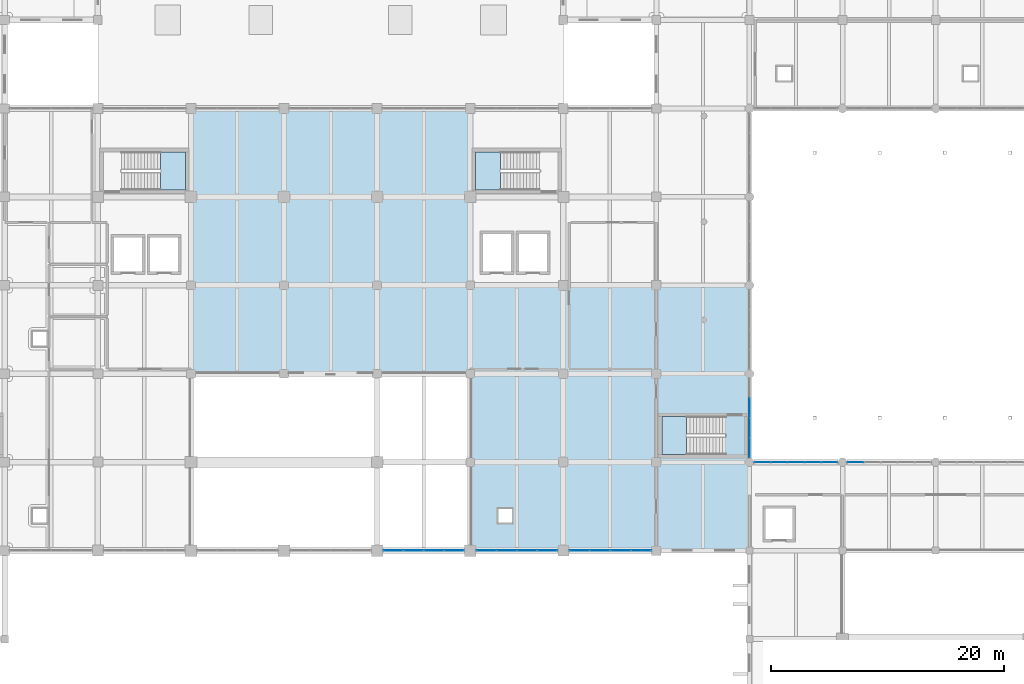
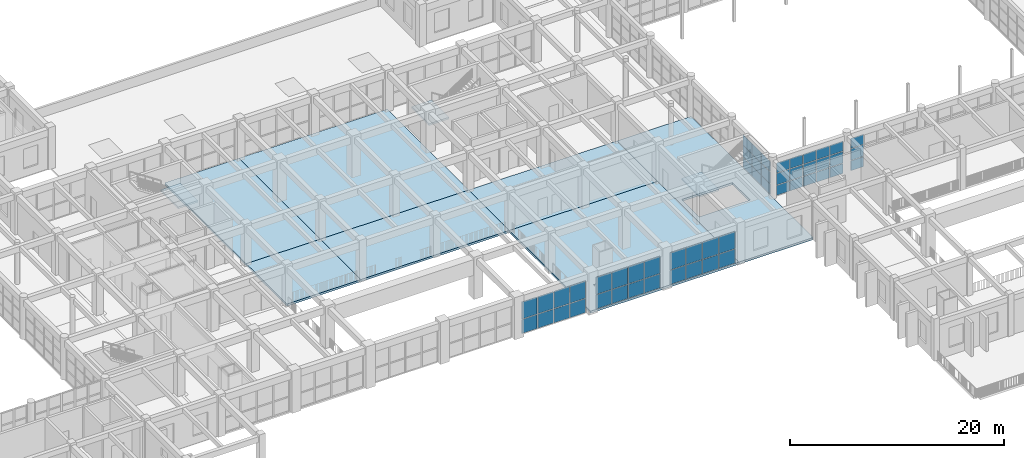
# One storey, part 64 of 101: 51 plates, 10 slabs, 9 elements without a shape of their own.
"""IFC4 building model written with IfcOpenShell, lengths in metres."""

from ifc_helpers import new_model, si_unit, direction, frame, origin, origin_2d, place, context, subcontext, project, spatial, polyline, rectangle, outline, extrude, material, layer, layer_set, type_object, element, aggregate, save


model = new_model("IFC4")

# Units and contexts
model_context = context("Model", 3, precision=1e-05, world=origin(), true_north=direction((0.0, 1.0)))
body_context = subcontext(model_context, "Body", "Model", "MODEL_VIEW")
ifc_project = project(units=[si_unit("LENGTHUNIT", "METRE"), si_unit("AREAUNIT", "SQUARE_METRE"), si_unit("VOLUMEUNIT", "CUBIC_METRE"), si_unit("PLANEANGLEUNIT", "RADIAN"), si_unit("MASSUNIT", "GRAM", prefix="KILO")], contexts=[model_context])

# Site, building, storey
site_placement = place(None, origin())
site = spatial("IfcSite", under=ifc_project, at=site_placement, CompositionType="ELEMENT")
building_placement = place(site_placement, origin())
building = spatial("IfcBuilding", under=site, at=building_placement, Name="Zantavel Square City Hall", CompositionType="ELEMENT")
storey_placement = place(building_placement, frame((0.0, 0.0, 5.39990234375)))
storey = spatial("IfcBuildingStorey", under=building, at=storey_placement, Name="L02", CompositionType="ELEMENT", Elevation=5.39990234375)

# Stair, slab
ifc_material_1 = material(Name="Concrete C35/45", Category="concrete")
stair_type = type_object("IfcStairType", Name="Enclosed Core Dogleg Stair L02 H4800", PredefinedType="HALF_TURN_STAIR", material=ifc_material_1)
stair_1_placement = place(storey_placement, origin())
stair_1 = element("IfcStair", 1, at=stair_1_placement, inside=storey, type_object=stair_type, Name="L02 Exit Stair 4 East Annex Core", PredefinedType="HALF_TURN_STAIR")
ifc_layer_1 = layer(ifc_material_1, 0.2099609375, Name="Concrete C35/45")
ifc_layer_set_1 = layer_set([ifc_layer_1], Name="Concrete C35/45")
slab_type_1 = type_object("IfcSlabType", Name="Core Stair Half-Landing Slab C35/45", PredefinedType="LANDING", material=ifc_layer_set_1)
slab_1_placement = place(storey_placement, frame((0.0, 0.0, 2.2001953125)))
slab_1 = element("IfcSlab", 2, at=slab_1_placement, type_object=slab_type_1, Name="ST4 landing 1", PredefinedType="LANDING", context=body_context, shape_type="SweptSolid", body=[
    extrude(outline(polyline([(114.610107421875, 41.919921875), (112.469970703125, 41.919921875), (112.469970703125, 38.64990234375), (114.610107421875, 38.64990234375), (114.610107421875, 41.919921875)])), origin(), (0.0, 0.0, 1.0), 0.199951171875),
])
aggregate(stair_1, [slab_1])

stair_2_placement = place(storey_placement, origin())
stair_2 = element("IfcStair", 3, at=stair_2_placement, inside=storey, type_object=stair_type, Name="L02 Exit Stair 5 Central West Core", PredefinedType="HALF_TURN_STAIR")
slab_2_placement = place(storey_placement, frame((0.0, 0.0, 2.2001953125)))
slab_2 = element("IfcSlab", 4, at=slab_2_placement, type_object=slab_type_1, Name="ST5 landing 1", PredefinedType="LANDING", context=body_context, shape_type="SweptSolid", body=[
    extrude(outline(polyline([(69.389892578125, 61.39990234375), (71.530029296875, 61.39990234375), (71.530029296875, 64.669921875), (69.389892578125, 64.669921875), (69.389892578125, 61.39990234375)])), origin(), (0.0, 0.0, 1.0), 0.199951171875),
])
aggregate(stair_2, [slab_2])

stair_3_placement = place(storey_placement, origin())
stair_3 = element("IfcStair", 5, at=stair_3_placement, inside=storey, type_object=stair_type, Name="L02 Exit Stair 6 Central East Core", PredefinedType="HALF_TURN_STAIR")
slab_3_placement = place(storey_placement, frame((0.0, 0.0, 2.2001953125)))
slab_3 = element("IfcSlab", 6, at=slab_3_placement, type_object=slab_type_1, Name="ST6 landing 1", PredefinedType="LANDING", context=body_context, shape_type="SweptSolid", body=[
    extrude(outline(polyline([(98.610107421875, 64.669921875), (96.469970703125, 64.669921875), (96.469970703125, 61.39990234375), (98.610107421875, 61.39990234375), (98.610107421875, 64.669921875)])), origin(), (0.0, 0.0, 1.0), 0.199951171875),
])
aggregate(stair_3, [slab_3])

# Curtain wall, plates
ifc_material_2 = material(Name="Anodised aluminium 6063-T6", Category="aluminium")
curtain_wall_type_1 = type_object("IfcCurtainWallType", Name="Curtain Wall CRT 7250x3800", PredefinedType="USERDEFINED", material=ifc_material_2)
curtain_wall_1_placement = place(storey_placement, origin())
curtain_wall_1 = element("IfcCurtainWall", 7, at=curtain_wall_1_placement, inside=storey, type_object=curtain_wall_type_1, Name="L02 Glazed Curtain Wall CW-L02-051", ObjectType="GLAZED CURTAIN WALL", PredefinedType="USERDEFINED")
ifc_material_3 = material(Name="Tempered safety glass low-E double glazing", Category="glass")
ifc_layer_2 = layer(ifc_material_3, 0.028076171875, Name="Tempered safety glass low-E double glazing")
ifc_layer_set_2 = layer_set([ifc_layer_2], Name="Tempered safety glass low-E double glazing")
plate_type_1 = type_object("IfcPlateType", Name="Low-E Curtain Glazing Panel 1450x1267x28", PredefinedType="CURTAIN_PANEL", material=ifc_layer_set_2)
plate_1_placement = place(storey_placement, frame((121.114990234375, 38.0, 0.06005859375), z_axis=(0.0, 0.0, 1.0), x_axis=(1.0, 0.0, 0.0)))
plate_1 = element("IfcPlate", 8, at=plate_1_placement, type_object=plate_type_1, Name="CW-051 panel 1.1", PredefinedType="CURTAIN_PANEL", context=body_context, shape_type="SweptSolid", body=[
    extrude(rectangle(XDim=1.360107421875, YDim=0.028076171875, at=origin_2d()), origin(), (0.0, 0.0, 1.0), 1.1259765625),
])
plate_2_placement = place(storey_placement, frame((121.114990234375, 38.0, 1.24609375), z_axis=(0.0, 0.0, 1.0), x_axis=(1.0, 0.0, 0.0)))
plate_2 = element("IfcPlate", 9, at=plate_2_placement, type_object=plate_type_1, Name="CW-051 panel 1.2", PredefinedType="CURTAIN_PANEL", context=body_context, shape_type="SweptSolid", body=[
    extrude(rectangle(XDim=1.360107421875, YDim=0.028076171875, at=origin_2d()), origin(), (0.0, 0.0, 1.0), 1.30810546875),
])
plate_3_placement = place(storey_placement, frame((121.114990234375, 38.0, 2.614013671875), z_axis=(0.0, 0.0, 1.0), x_axis=(1.0, 0.0, 0.0)))
plate_3 = element("IfcPlate", 10, at=plate_3_placement, type_object=plate_type_1, Name="CW-051 panel 1.3", PredefinedType="CURTAIN_PANEL", context=body_context, shape_type="SweptSolid", body=[
    extrude(rectangle(XDim=1.360107421875, YDim=0.028076171875, at=origin_2d()), origin(), (0.0, 0.0, 1.0), 1.1259765625),
])
plate_4_placement = place(storey_placement, frame((122.550048828125, 38.0, 0.06005859375), z_axis=(0.0, 0.0, 1.0), x_axis=(1.0, 0.0, 0.0)))
plate_4 = element("IfcPlate", 11, at=plate_4_placement, type_object=plate_type_1, Name="CW-051 panel 2.1", PredefinedType="CURTAIN_PANEL", context=body_context, shape_type="SweptSolid", body=[
    extrude(rectangle(XDim=1.389892578125, YDim=0.028076171875, at=origin_2d()), origin(), (0.0, 0.0, 1.0), 1.1259765625),
])
plate_5_placement = place(storey_placement, frame((122.550048828125, 38.0, 1.24609375), z_axis=(0.0, 0.0, 1.0), x_axis=(1.0, 0.0, 0.0)))
plate_5 = element("IfcPlate", 12, at=plate_5_placement, type_object=plate_type_1, Name="CW-051 panel 2.2", PredefinedType="CURTAIN_PANEL", context=body_context, shape_type="SweptSolid", body=[
    extrude(rectangle(XDim=1.389892578125, YDim=0.028076171875, at=origin_2d()), origin(), (0.0, 0.0, 1.0), 1.30810546875),
])
plate_6_placement = place(storey_placement, frame((122.550048828125, 38.0, 2.614013671875), z_axis=(0.0, 0.0, 1.0), x_axis=(1.0, 0.0, 0.0)))
plate_6 = element("IfcPlate", 13, at=plate_6_placement, type_object=plate_type_1, Name="CW-051 panel 2.3", PredefinedType="CURTAIN_PANEL", context=body_context, shape_type="SweptSolid", body=[
    extrude(rectangle(XDim=1.389892578125, YDim=0.028076171875, at=origin_2d()), origin(), (0.0, 0.0, 1.0), 1.1259765625),
])
plate_7_placement = place(storey_placement, frame((124.0, 38.0, 0.06005859375), z_axis=(0.0, 0.0, 1.0), x_axis=(1.0, 0.0, 0.0)))
plate_7 = element("IfcPlate", 14, at=plate_7_placement, type_object=plate_type_1, Name="CW-051 panel 3.1", PredefinedType="CURTAIN_PANEL", context=body_context, shape_type="SweptSolid", body=[
    extrude(rectangle(XDim=1.389892578125, YDim=0.028076171875, at=origin_2d()), origin(), (0.0, 0.0, 1.0), 1.1259765625),
])
plate_8_placement = place(storey_placement, frame((124.0, 38.0, 1.24609375), z_axis=(0.0, 0.0, 1.0), x_axis=(1.0, 0.0, 0.0)))
plate_8 = element("IfcPlate", 15, at=plate_8_placement, type_object=plate_type_1, Name="CW-051 panel 3.2", PredefinedType="CURTAIN_PANEL", context=body_context, shape_type="SweptSolid", body=[
    extrude(rectangle(XDim=1.389892578125, YDim=0.028076171875, at=origin_2d()), origin(), (0.0, 0.0, 1.0), 1.30810546875),
])
plate_9_placement = place(storey_placement, frame((124.0, 38.0, 2.614013671875), z_axis=(0.0, 0.0, 1.0), x_axis=(1.0, 0.0, 0.0)))
plate_9 = element("IfcPlate", 16, at=plate_9_placement, type_object=plate_type_1, Name="CW-051 panel 3.3", PredefinedType="CURTAIN_PANEL", context=body_context, shape_type="SweptSolid", body=[
    extrude(rectangle(XDim=1.389892578125, YDim=0.028076171875, at=origin_2d()), origin(), (0.0, 0.0, 1.0), 1.1259765625),
])
plate_10_placement = place(storey_placement, frame((125.449951171875, 38.0, 0.06005859375), z_axis=(0.0, 0.0, 1.0), x_axis=(1.0, 0.0, 0.0)))
plate_10 = element("IfcPlate", 17, at=plate_10_placement, type_object=plate_type_1, Name="CW-051 panel 4.1", PredefinedType="CURTAIN_PANEL", context=body_context, shape_type="SweptSolid", body=[
    extrude(rectangle(XDim=1.389892578125, YDim=0.028076171875, at=origin_2d()), origin(), (0.0, 0.0, 1.0), 1.1259765625),
])
plate_11_placement = place(storey_placement, frame((125.449951171875, 38.0, 1.24609375), z_axis=(0.0, 0.0, 1.0), x_axis=(1.0, 0.0, 0.0)))
plate_11 = element("IfcPlate", 18, at=plate_11_placement, type_object=plate_type_1, Name="CW-051 panel 4.2", PredefinedType="CURTAIN_PANEL", context=body_context, shape_type="SweptSolid", body=[
    extrude(rectangle(XDim=1.389892578125, YDim=0.028076171875, at=origin_2d()), origin(), (0.0, 0.0, 1.0), 1.30810546875),
])
plate_12_placement = place(storey_placement, frame((125.449951171875, 38.0, 2.614013671875), z_axis=(0.0, 0.0, 1.0), x_axis=(1.0, 0.0, 0.0)))
plate_12 = element("IfcPlate", 19, at=plate_12_placement, type_object=plate_type_1, Name="CW-051 panel 4.3", PredefinedType="CURTAIN_PANEL", context=body_context, shape_type="SweptSolid", body=[
    extrude(rectangle(XDim=1.389892578125, YDim=0.028076171875, at=origin_2d()), origin(), (0.0, 0.0, 1.0), 1.1259765625),
])
plate_13_placement = place(storey_placement, frame((126.885009765625, 38.0, 0.06005859375), z_axis=(0.0, 0.0, 1.0), x_axis=(1.0, 0.0, 0.0)))
plate_13 = element("IfcPlate", 20, at=plate_13_placement, type_object=plate_type_1, Name="CW-051 panel 5.1", PredefinedType="CURTAIN_PANEL", context=body_context, shape_type="SweptSolid", body=[
    extrude(rectangle(XDim=1.360107421875, YDim=0.028076171875, at=origin_2d()), origin(), (0.0, 0.0, 1.0), 1.1259765625),
])
plate_14_placement = place(storey_placement, frame((126.885009765625, 38.0, 1.24609375), z_axis=(0.0, 0.0, 1.0), x_axis=(1.0, 0.0, 0.0)))
plate_14 = element("IfcPlate", 21, at=plate_14_placement, type_object=plate_type_1, Name="CW-051 panel 5.2", PredefinedType="CURTAIN_PANEL", context=body_context, shape_type="SweptSolid", body=[
    extrude(rectangle(XDim=1.360107421875, YDim=0.028076171875, at=origin_2d()), origin(), (0.0, 0.0, 1.0), 1.30810546875),
])
plate_15_placement = place(storey_placement, frame((126.885009765625, 38.0, 2.614013671875), z_axis=(0.0, 0.0, 1.0), x_axis=(1.0, 0.0, 0.0)))
plate_15 = element("IfcPlate", 22, at=plate_15_placement, type_object=plate_type_1, Name="CW-051 panel 5.3", PredefinedType="CURTAIN_PANEL", context=body_context, shape_type="SweptSolid", body=[
    extrude(rectangle(XDim=1.360107421875, YDim=0.028076171875, at=origin_2d()), origin(), (0.0, 0.0, 1.0), 1.1259765625),
])
aggregate(curtain_wall_1, [plate_1, plate_2, plate_3, plate_4, plate_5, plate_6, plate_7, plate_8, plate_9, plate_10, plate_11, plate_12, plate_13, plate_14, plate_15])

curtain_wall_2_placement = place(storey_placement, origin())
curtain_wall_2 = element("IfcCurtainWall", 23, at=curtain_wall_2_placement, inside=storey, type_object=curtain_wall_type_1, Name="L02 Glazed Curtain Wall CW-L02-052", ObjectType="GLAZED CURTAIN WALL", PredefinedType="USERDEFINED")
plate_16_placement = place(storey_placement, frame((129.114990234375, 38.0, 0.06005859375), z_axis=(0.0, 0.0, 1.0), x_axis=(1.0, 0.0, 0.0)))
plate_16 = element("IfcPlate", 24, at=plate_16_placement, type_object=plate_type_1, Name="CW-052 panel 1.1", PredefinedType="CURTAIN_PANEL", context=body_context, shape_type="SweptSolid", body=[
    extrude(rectangle(XDim=1.360107421875, YDim=0.028076171875, at=origin_2d()), origin(), (0.0, 0.0, 1.0), 1.1259765625),
])
plate_17_placement = place(storey_placement, frame((129.114990234375, 38.0, 1.24609375), z_axis=(0.0, 0.0, 1.0), x_axis=(1.0, 0.0, 0.0)))
plate_17 = element("IfcPlate", 25, at=plate_17_placement, type_object=plate_type_1, Name="CW-052 panel 1.2", PredefinedType="CURTAIN_PANEL", context=body_context, shape_type="SweptSolid", body=[
    extrude(rectangle(XDim=1.360107421875, YDim=0.028076171875, at=origin_2d()), origin(), (0.0, 0.0, 1.0), 1.30810546875),
])
plate_18_placement = place(storey_placement, frame((129.114990234375, 38.0, 2.614013671875), z_axis=(0.0, 0.0, 1.0), x_axis=(1.0, 0.0, 0.0)))
plate_18 = element("IfcPlate", 26, at=plate_18_placement, type_object=plate_type_1, Name="CW-052 panel 1.3", PredefinedType="CURTAIN_PANEL", context=body_context, shape_type="SweptSolid", body=[
    extrude(rectangle(XDim=1.360107421875, YDim=0.028076171875, at=origin_2d()), origin(), (0.0, 0.0, 1.0), 1.1259765625),
])
aggregate(curtain_wall_2, [plate_16, plate_17, plate_18])

curtain_wall_type_2 = type_object("IfcCurtainWallType", Name="Curtain Wall CRT 6850x3870", PredefinedType="USERDEFINED", material=ifc_material_2)
curtain_wall_3_placement = place(storey_placement, origin())
curtain_wall_3 = element("IfcCurtainWall", 27, at=curtain_wall_3_placement, inside=storey, type_object=curtain_wall_type_2, Name="L02 Glazed Curtain Wall CW-L02-066", ObjectType="GLAZED CURTAIN WALL", PredefinedType="USERDEFINED")
ifc_layer_3 = layer(ifc_material_3, 0.028076171875, Name="Tempered safety glass low-E double glazing")
ifc_layer_set_3 = layer_set([ifc_layer_3], Name="Tempered safety glass low-E double glazing")
plate_type_2 = type_object("IfcPlateType", Name="Low-E Curtain Glazing Panel 1713x1290x28", PredefinedType="CURTAIN_PANEL", material=ifc_layer_set_3)
plate_19_placement = place(storey_placement, frame((120.0, 42.65625, 0.06005859375), z_axis=(0.0, 0.0, 1.0), x_axis=(0.0, -1.0, 0.0)))
plate_19 = element("IfcPlate", 28, at=plate_19_placement, type_object=plate_type_2, Name="CW-066 panel 2.1", PredefinedType="CURTAIN_PANEL", context=body_context, shape_type="SweptSolid", body=[
    extrude(rectangle(XDim=1.652587890625, YDim=0.028076171875, at=origin_2d()), origin(), (0.0, 0.0, 1.0), 1.14794921875),
])
plate_20_placement = place(storey_placement, frame((120.0, 42.65625, 1.26806640625), z_axis=(0.0, 0.0, 1.0), x_axis=(0.0, -1.0, 0.0)))
plate_20 = element("IfcPlate", 29, at=plate_20_placement, type_object=plate_type_2, Name="CW-066 panel 2.2", PredefinedType="CURTAIN_PANEL", context=body_context, shape_type="SweptSolid", body=[
    extrude(rectangle(XDim=1.652587890625, YDim=0.028076171875, at=origin_2d()), origin(), (0.0, 0.0, 1.0), 1.333984375),
])
plate_21_placement = place(storey_placement, frame((120.0, 42.65625, 2.662109375), z_axis=(0.0, 0.0, 1.0), x_axis=(0.0, -1.0, 0.0)))
plate_21 = element("IfcPlate", 30, at=plate_21_placement, type_object=plate_type_2, Name="CW-066 panel 2.3", PredefinedType="CURTAIN_PANEL", context=body_context, shape_type="SweptSolid", body=[
    extrude(rectangle(XDim=1.652587890625, YDim=0.028076171875, at=origin_2d()), origin(), (0.0, 0.0, 1.0), 1.14794921875),
])
plate_22_placement = place(storey_placement, frame((120.0, 40.94384765625, 0.06005859375), z_axis=(0.0, 0.0, 1.0), x_axis=(0.0, -1.0, 0.0)))
plate_22 = element("IfcPlate", 31, at=plate_22_placement, type_object=plate_type_2, Name="CW-066 panel 3.1", PredefinedType="CURTAIN_PANEL", context=body_context, shape_type="SweptSolid", body=[
    extrude(rectangle(XDim=1.652587890625, YDim=0.028076171875, at=origin_2d()), origin(), (0.0, 0.0, 1.0), 1.14794921875),
])
plate_23_placement = place(storey_placement, frame((120.0, 40.94384765625, 1.26806640625), z_axis=(0.0, 0.0, 1.0), x_axis=(0.0, -1.0, 0.0)))
plate_23 = element("IfcPlate", 32, at=plate_23_placement, type_object=plate_type_2, Name="CW-066 panel 3.2", PredefinedType="CURTAIN_PANEL", context=body_context, shape_type="SweptSolid", body=[
    extrude(rectangle(XDim=1.652587890625, YDim=0.028076171875, at=origin_2d()), origin(), (0.0, 0.0, 1.0), 1.333984375),
])
plate_24_placement = place(storey_placement, frame((120.0, 40.94384765625, 2.662109375), z_axis=(0.0, 0.0, 1.0), x_axis=(0.0, -1.0, 0.0)))
plate_24 = element("IfcPlate", 33, at=plate_24_placement, type_object=plate_type_2, Name="CW-066 panel 3.3", PredefinedType="CURTAIN_PANEL", context=body_context, shape_type="SweptSolid", body=[
    extrude(rectangle(XDim=1.652587890625, YDim=0.028076171875, at=origin_2d()), origin(), (0.0, 0.0, 1.0), 1.14794921875),
])
plate_25_placement = place(storey_placement, frame((120.0, 39.246337890625, 0.06005859375), z_axis=(0.0, 0.0, 1.0), x_axis=(0.0, -1.0, 0.0)))
plate_25 = element("IfcPlate", 34, at=plate_25_placement, type_object=plate_type_2, Name="CW-066 panel 4.1", PredefinedType="CURTAIN_PANEL", context=body_context, shape_type="SweptSolid", body=[
    extrude(rectangle(XDim=1.62255859375, YDim=0.028076171875, at=origin_2d()), origin(), (0.0, 0.0, 1.0), 1.14794921875),
])
plate_26_placement = place(storey_placement, frame((120.0, 39.246337890625, 1.26806640625), z_axis=(0.0, 0.0, 1.0), x_axis=(0.0, -1.0, 0.0)))
plate_26 = element("IfcPlate", 35, at=plate_26_placement, type_object=plate_type_2, Name="CW-066 panel 4.2", PredefinedType="CURTAIN_PANEL", context=body_context, shape_type="SweptSolid", body=[
    extrude(rectangle(XDim=1.62255859375, YDim=0.028076171875, at=origin_2d()), origin(), (0.0, 0.0, 1.0), 1.333984375),
])
plate_27_placement = place(storey_placement, frame((120.0, 39.246337890625, 2.662109375), z_axis=(0.0, 0.0, 1.0), x_axis=(0.0, -1.0, 0.0)))
plate_27 = element("IfcPlate", 36, at=plate_27_placement, type_object=plate_type_2, Name="CW-066 panel 4.3", PredefinedType="CURTAIN_PANEL", context=body_context, shape_type="SweptSolid", body=[
    extrude(rectangle(XDim=1.62255859375, YDim=0.028076171875, at=origin_2d()), origin(), (0.0, 0.0, 1.0), 1.14794921875),
])
aggregate(curtain_wall_3, [plate_19, plate_20, plate_21, plate_22, plate_23, plate_24, plate_25, plate_26, plate_27])

curtain_wall_type_3 = type_object("IfcCurtainWallType", Name="Curtain Wall TRV1 7000x3740", PredefinedType="USERDEFINED", material=ifc_material_2)
curtain_wall_4_placement = place(storey_placement, origin())
curtain_wall_4 = element("IfcCurtainWall", 37, at=curtain_wall_4_placement, inside=storey, type_object=curtain_wall_type_3, Name="L02 Glazed Curtain Wall CW-L02-046", ObjectType="GLAZED CURTAIN WALL", PredefinedType="USERDEFINED")
ifc_layer_4 = layer(ifc_material_3, 0.028076171875, Name="Tempered safety glass low-E double glazing")
ifc_layer_set_4 = layer_set([ifc_layer_4], Name="Tempered safety glass low-E double glazing")
plate_type_3 = type_object("IfcPlateType", Name="Low-E Curtain Glazing Panel 1750x1870x28", PredefinedType="CURTAIN_PANEL", material=ifc_layer_set_4)
plate_28_placement = place(storey_placement, frame((94.610107421875, 30.39990234375, 0.06005859375), z_axis=(0.0, 0.0, 1.0), x_axis=(-1.0, 0.0, 0.0)))
plate_28 = element("IfcPlate", 38, at=plate_28_placement, type_object=plate_type_3, Name="CW-046 panel 1.1", PredefinedType="CURTAIN_PANEL", context=body_context, shape_type="SweptSolid", body=[
    extrude(rectangle(XDim=1.659912109375, YDim=0.028076171875, at=origin_2d()), origin(), (0.0, 0.0, 1.0), 1.593017578125),
])
plate_29_placement = place(storey_placement, frame((94.610107421875, 30.39990234375, 1.712890625), z_axis=(0.0, 0.0, 1.0), x_axis=(-1.0, 0.0, 0.0)))
plate_29 = element("IfcPlate", 39, at=plate_29_placement, type_object=plate_type_3, Name="CW-046 panel 1.2", PredefinedType="CURTAIN_PANEL", context=body_context, shape_type="SweptSolid", body=[
    extrude(rectangle(XDim=1.659912109375, YDim=0.028076171875, at=origin_2d()), origin(), (0.0, 0.0, 1.0), 1.967041015625),
])
plate_30_placement = place(storey_placement, frame((92.875, 30.39990234375, 0.06005859375), z_axis=(0.0, 0.0, 1.0), x_axis=(-1.0, 0.0, 0.0)))
plate_30 = element("IfcPlate", 40, at=plate_30_placement, type_object=plate_type_3, Name="CW-046 panel 2.1", PredefinedType="CURTAIN_PANEL", context=body_context, shape_type="SweptSolid", body=[
    extrude(rectangle(XDim=1.68994140625, YDim=0.028076171875, at=origin_2d()), origin(), (0.0, 0.0, 1.0), 1.593017578125),
])
plate_31_placement = place(storey_placement, frame((92.875, 30.39990234375, 1.712890625), z_axis=(0.0, 0.0, 1.0), x_axis=(-1.0, 0.0, 0.0)))
plate_31 = element("IfcPlate", 41, at=plate_31_placement, type_object=plate_type_3, Name="CW-046 panel 2.2", PredefinedType="CURTAIN_PANEL", context=body_context, shape_type="SweptSolid", body=[
    extrude(rectangle(XDim=1.68994140625, YDim=0.028076171875, at=origin_2d()), origin(), (0.0, 0.0, 1.0), 1.967041015625),
])
plate_32_placement = place(storey_placement, frame((91.125, 30.39990234375, 0.06005859375), z_axis=(0.0, 0.0, 1.0), x_axis=(-1.0, 0.0, 0.0)))
plate_32 = element("IfcPlate", 42, at=plate_32_placement, type_object=plate_type_3, Name="CW-046 panel 3.1", PredefinedType="CURTAIN_PANEL", context=body_context, shape_type="SweptSolid", body=[
    extrude(rectangle(XDim=1.68994140625, YDim=0.028076171875, at=origin_2d()), origin(), (0.0, 0.0, 1.0), 1.593017578125),
])
plate_33_placement = place(storey_placement, frame((91.125, 30.39990234375, 1.712890625), z_axis=(0.0, 0.0, 1.0), x_axis=(-1.0, 0.0, 0.0)))
plate_33 = element("IfcPlate", 43, at=plate_33_placement, type_object=plate_type_3, Name="CW-046 panel 3.2", PredefinedType="CURTAIN_PANEL", context=body_context, shape_type="SweptSolid", body=[
    extrude(rectangle(XDim=1.68994140625, YDim=0.028076171875, at=origin_2d()), origin(), (0.0, 0.0, 1.0), 1.967041015625),
])
plate_34_placement = place(storey_placement, frame((89.389892578125, 30.39990234375, 0.06005859375), z_axis=(0.0, 0.0, 1.0), x_axis=(-1.0, 0.0, 0.0)))
plate_34 = element("IfcPlate", 44, at=plate_34_placement, type_object=plate_type_3, Name="CW-046 panel 4.1", PredefinedType="CURTAIN_PANEL", context=body_context, shape_type="SweptSolid", body=[
    extrude(rectangle(XDim=1.659912109375, YDim=0.028076171875, at=origin_2d()), origin(), (0.0, 0.0, 1.0), 1.593017578125),
])
plate_35_placement = place(storey_placement, frame((89.389892578125, 30.39990234375, 1.712890625), z_axis=(0.0, 0.0, 1.0), x_axis=(-1.0, 0.0, 0.0)))
plate_35 = element("IfcPlate", 45, at=plate_35_placement, type_object=plate_type_3, Name="CW-046 panel 4.2", PredefinedType="CURTAIN_PANEL", context=body_context, shape_type="SweptSolid", body=[
    extrude(rectangle(XDim=1.659912109375, YDim=0.028076171875, at=origin_2d()), origin(), (0.0, 0.0, 1.0), 1.967041015625),
])
aggregate(curtain_wall_4, [plate_28, plate_29, plate_30, plate_31, plate_32, plate_33, plate_34, plate_35])

curtain_wall_type_4 = type_object("IfcCurtainWallType", Name="Curtain Wall TRV1 7025x3740", PredefinedType="USERDEFINED", material=ifc_material_2)
curtain_wall_5_placement = place(storey_placement, origin())
curtain_wall_5 = element("IfcCurtainWall", 46, at=curtain_wall_5_placement, inside=storey, type_object=curtain_wall_type_4, Name="L02 Glazed Curtain Wall CW-L02-045", ObjectType="GLAZED CURTAIN WALL", PredefinedType="USERDEFINED")
ifc_layer_5 = layer(ifc_material_3, 0.028076171875, Name="Tempered safety glass low-E double glazing")
ifc_layer_set_5 = layer_set([ifc_layer_5], Name="Tempered safety glass low-E double glazing")
plate_type_4 = type_object("IfcPlateType", Name="Low-E Curtain Glazing Panel 1756x1870x28", PredefinedType="CURTAIN_PANEL", material=ifc_layer_set_5)
plate_36_placement = place(storey_placement, frame((102.6318359375, 30.39990234375, 0.06005859375), z_axis=(0.0, 0.0, 1.0), x_axis=(-1.0, 0.0, 0.0)))
plate_36 = element("IfcPlate", 47, at=plate_36_placement, type_object=plate_type_4, Name="CW-045 panel 1.1", PredefinedType="CURTAIN_PANEL", context=body_context, shape_type="SweptSolid", body=[
    extrude(rectangle(XDim=1.666259765625, YDim=0.028076171875, at=origin_2d()), origin(), (0.0, 0.0, 1.0), 1.593017578125),
])
plate_37_placement = place(storey_placement, frame((102.6318359375, 30.39990234375, 1.712890625), z_axis=(0.0, 0.0, 1.0), x_axis=(-1.0, 0.0, 0.0)))
plate_37 = element("IfcPlate", 48, at=plate_37_placement, type_object=plate_type_4, Name="CW-045 panel 1.2", PredefinedType="CURTAIN_PANEL", context=body_context, shape_type="SweptSolid", body=[
    extrude(rectangle(XDim=1.666259765625, YDim=0.028076171875, at=origin_2d()), origin(), (0.0, 0.0, 1.0), 1.967041015625),
])
plate_38_placement = place(storey_placement, frame((100.890625, 30.39990234375, 0.06005859375), z_axis=(0.0, 0.0, 1.0), x_axis=(-1.0, 0.0, 0.0)))
plate_38 = element("IfcPlate", 49, at=plate_38_placement, type_object=plate_type_4, Name="CW-045 panel 2.1", PredefinedType="CURTAIN_PANEL", context=body_context, shape_type="SweptSolid", body=[
    extrude(rectangle(XDim=1.6962890625, YDim=0.028076171875, at=origin_2d()), origin(), (0.0, 0.0, 1.0), 1.593017578125),
])
plate_39_placement = place(storey_placement, frame((100.890625, 30.39990234375, 1.712890625), z_axis=(0.0, 0.0, 1.0), x_axis=(-1.0, 0.0, 0.0)))
plate_39 = element("IfcPlate", 50, at=plate_39_placement, type_object=plate_type_4, Name="CW-045 panel 2.2", PredefinedType="CURTAIN_PANEL", context=body_context, shape_type="SweptSolid", body=[
    extrude(rectangle(XDim=1.6962890625, YDim=0.028076171875, at=origin_2d()), origin(), (0.0, 0.0, 1.0), 1.967041015625),
])
plate_40_placement = place(storey_placement, frame((99.13427734375, 30.39990234375, 0.06005859375), z_axis=(0.0, 0.0, 1.0), x_axis=(-1.0, 0.0, 0.0)))
plate_40 = element("IfcPlate", 51, at=plate_40_placement, type_object=plate_type_4, Name="CW-045 panel 3.1", PredefinedType="CURTAIN_PANEL", context=body_context, shape_type="SweptSolid", body=[
    extrude(rectangle(XDim=1.6962890625, YDim=0.028076171875, at=origin_2d()), origin(), (0.0, 0.0, 1.0), 1.593017578125),
])
plate_41_placement = place(storey_placement, frame((99.13427734375, 30.39990234375, 1.712890625), z_axis=(0.0, 0.0, 1.0), x_axis=(-1.0, 0.0, 0.0)))
plate_41 = element("IfcPlate", 52, at=plate_41_placement, type_object=plate_type_4, Name="CW-045 panel 3.2", PredefinedType="CURTAIN_PANEL", context=body_context, shape_type="SweptSolid", body=[
    extrude(rectangle(XDim=1.6962890625, YDim=0.028076171875, at=origin_2d()), origin(), (0.0, 0.0, 1.0), 1.967041015625),
])
plate_42_placement = place(storey_placement, frame((97.39306640625, 30.39990234375, 0.06005859375), z_axis=(0.0, 0.0, 1.0), x_axis=(-1.0, 0.0, 0.0)))
plate_42 = element("IfcPlate", 53, at=plate_42_placement, type_object=plate_type_4, Name="CW-045 panel 4.1", PredefinedType="CURTAIN_PANEL", context=body_context, shape_type="SweptSolid", body=[
    extrude(rectangle(XDim=1.666259765625, YDim=0.028076171875, at=origin_2d()), origin(), (0.0, 0.0, 1.0), 1.593017578125),
])
plate_43_placement = place(storey_placement, frame((97.39306640625, 30.39990234375, 1.712890625), z_axis=(0.0, 0.0, 1.0), x_axis=(-1.0, 0.0, 0.0)))
plate_43 = element("IfcPlate", 54, at=plate_43_placement, type_object=plate_type_4, Name="CW-045 panel 4.2", PredefinedType="CURTAIN_PANEL", context=body_context, shape_type="SweptSolid", body=[
    extrude(rectangle(XDim=1.666259765625, YDim=0.028076171875, at=origin_2d()), origin(), (0.0, 0.0, 1.0), 1.967041015625),
])
aggregate(curtain_wall_5, [plate_36, plate_37, plate_38, plate_39, plate_40, plate_41, plate_42, plate_43])

curtain_wall_type_5 = type_object("IfcCurtainWallType", Name="Curtain Wall TRV1 7125x3740", PredefinedType="USERDEFINED", material=ifc_material_2)
curtain_wall_6_placement = place(storey_placement, origin())
curtain_wall_6 = element("IfcCurtainWall", 55, at=curtain_wall_6_placement, inside=storey, type_object=curtain_wall_type_5, Name="L02 Glazed Curtain Wall CW-L02-044", ObjectType="GLAZED CURTAIN WALL", PredefinedType="USERDEFINED")
ifc_layer_6 = layer(ifc_material_3, 0.028076171875, Name="Tempered safety glass low-E double glazing")
ifc_layer_set_6 = layer_set([ifc_layer_6], Name="Tempered safety glass low-E double glazing")
plate_type_5 = type_object("IfcPlateType", Name="Low-E Curtain Glazing Panel 1781x1870x28", PredefinedType="CURTAIN_PANEL", material=ifc_layer_set_6)
plate_44_placement = place(storey_placement, frame((110.6943359375, 30.39990234375, 0.06005859375), z_axis=(0.0, 0.0, 1.0), x_axis=(-1.0, 0.0, 0.0)))
plate_44 = element("IfcPlate", 56, at=plate_44_placement, type_object=plate_type_5, Name="CW-044 panel 1.1", PredefinedType="CURTAIN_PANEL", context=body_context, shape_type="SweptSolid", body=[
    extrude(rectangle(XDim=1.691162109375, YDim=0.028076171875, at=origin_2d()), origin(), (0.0, 0.0, 1.0), 1.593017578125),
])
plate_45_placement = place(storey_placement, frame((110.6943359375, 30.39990234375, 1.712890625), z_axis=(0.0, 0.0, 1.0), x_axis=(-1.0, 0.0, 0.0)))
plate_45 = element("IfcPlate", 57, at=plate_45_placement, type_object=plate_type_5, Name="CW-044 panel 1.2", PredefinedType="CURTAIN_PANEL", context=body_context, shape_type="SweptSolid", body=[
    extrude(rectangle(XDim=1.691162109375, YDim=0.028076171875, at=origin_2d()), origin(), (0.0, 0.0, 1.0), 1.967041015625),
])
plate_46_placement = place(storey_placement, frame((108.92822265625, 30.39990234375, 0.06005859375), z_axis=(0.0, 0.0, 1.0), x_axis=(-1.0, 0.0, 0.0)))
plate_46 = element("IfcPlate", 58, at=plate_46_placement, type_object=plate_type_5, Name="CW-044 panel 2.1", PredefinedType="CURTAIN_PANEL", context=body_context, shape_type="SweptSolid", body=[
    extrude(rectangle(XDim=1.72119140625, YDim=0.028076171875, at=origin_2d()), origin(), (0.0, 0.0, 1.0), 1.593017578125),
])
plate_47_placement = place(storey_placement, frame((108.92822265625, 30.39990234375, 1.712890625), z_axis=(0.0, 0.0, 1.0), x_axis=(-1.0, 0.0, 0.0)))
plate_47 = element("IfcPlate", 59, at=plate_47_placement, type_object=plate_type_5, Name="CW-044 panel 2.2", PredefinedType="CURTAIN_PANEL", context=body_context, shape_type="SweptSolid", body=[
    extrude(rectangle(XDim=1.72119140625, YDim=0.028076171875, at=origin_2d()), origin(), (0.0, 0.0, 1.0), 1.967041015625),
])
plate_48_placement = place(storey_placement, frame((107.14697265625, 30.39990234375, 0.06005859375), z_axis=(0.0, 0.0, 1.0), x_axis=(-1.0, 0.0, 0.0)))
plate_48 = element("IfcPlate", 60, at=plate_48_placement, type_object=plate_type_5, Name="CW-044 panel 3.1", PredefinedType="CURTAIN_PANEL", context=body_context, shape_type="SweptSolid", body=[
    extrude(rectangle(XDim=1.72119140625, YDim=0.028076171875, at=origin_2d()), origin(), (0.0, 0.0, 1.0), 1.593017578125),
])
plate_49_placement = place(storey_placement, frame((107.14697265625, 30.39990234375, 1.712890625), z_axis=(0.0, 0.0, 1.0), x_axis=(-1.0, 0.0, 0.0)))
plate_49 = element("IfcPlate", 61, at=plate_49_placement, type_object=plate_type_5, Name="CW-044 panel 3.2", PredefinedType="CURTAIN_PANEL", context=body_context, shape_type="SweptSolid", body=[
    extrude(rectangle(XDim=1.72119140625, YDim=0.028076171875, at=origin_2d()), origin(), (0.0, 0.0, 1.0), 1.967041015625),
])
plate_50_placement = place(storey_placement, frame((105.380615234375, 30.39990234375, 0.06005859375), z_axis=(0.0, 0.0, 1.0), x_axis=(-1.0, 0.0, 0.0)))
plate_50 = element("IfcPlate", 62, at=plate_50_placement, type_object=plate_type_5, Name="CW-044 panel 4.1", PredefinedType="CURTAIN_PANEL", context=body_context, shape_type="SweptSolid", body=[
    extrude(rectangle(XDim=1.691162109375, YDim=0.028076171875, at=origin_2d()), origin(), (0.0, 0.0, 1.0), 1.593017578125),
])
plate_51_placement = place(storey_placement, frame((105.380615234375, 30.39990234375, 1.712890625), z_axis=(0.0, 0.0, 1.0), x_axis=(-1.0, 0.0, 0.0)))
plate_51 = element("IfcPlate", 63, at=plate_51_placement, type_object=plate_type_5, Name="CW-044 panel 4.2", PredefinedType="CURTAIN_PANEL", context=body_context, shape_type="SweptSolid", body=[
    extrude(rectangle(XDim=1.691162109375, YDim=0.028076171875, at=origin_2d()), origin(), (0.0, 0.0, 1.0), 1.967041015625),
])
aggregate(curtain_wall_6, [plate_44, plate_45, plate_46, plate_47, plate_48, plate_49, plate_50, plate_51])

# Slabs
ifc_layer_7 = layer(ifc_material_1, 0.239990234375, Name="Concrete C35/45")
ifc_layer_set_7 = layer_set([ifc_layer_7], Name="Concrete C35/45")
slab_type_2 = type_object("IfcSlabType", Name="Standard Office Floor Slab 240mm C35/45", PredefinedType="FLOOR", material=ifc_layer_set_7)
slab_4_placement = place(storey_placement, frame((0.0, 0.0, -0.239990234375)))
element("IfcSlab", 64, at=slab_4_placement, inside=storey, type_object=slab_type_2, Name="L02 Floor Slab SLB-L02-V1-04", PredefinedType="FLOOR", context=body_context, shape_type="SweptSolid", body=[
    extrude(outline(polyline([(112.0, 45.60009765625), (112.0, 30.39990234375), (96.0, 30.39990234375), (96.0, 45.60009765625), (112.0, 45.60009765625)]), holes=[polyline([(99.60009765625, 34.0), (98.39990234375, 34.0), (98.39990234375, 32.800048828125), (99.60009765625, 32.800048828125), (99.60009765625, 34.0)])]), origin(), (0.0, 0.0, 1.0), 0.239990234375),
])
slab_5_placement = place(storey_placement, frame((0.0, 0.0, -0.239990234375)))
element("IfcSlab", 65, at=slab_5_placement, inside=storey, type_object=slab_type_2, Name="L02 Floor Slab SLB-L02-V1-06", PredefinedType="FLOOR", context=body_context, shape_type="SweptSolid", body=[
    extrude(outline(polyline([(80.0, 45.60009765625), (72.0, 45.60009765625), (72.0, 53.199951171875), (80.0, 53.199951171875), (80.0, 45.60009765625)])), origin(), (0.0, 0.0, 1.0), 0.239990234375),
])
slab_6_placement = place(storey_placement, frame((0.0, 0.0, -0.239990234375)))
element("IfcSlab", 66, at=slab_6_placement, inside=storey, type_object=slab_type_2, Name="L02 Floor Slab SLB-L02-V1-07", PredefinedType="FLOOR", context=body_context, shape_type="SweptSolid", body=[
    extrude(outline(polyline([(96.0, 45.60009765625), (80.0, 45.60009765625), (80.0, 53.199951171875), (96.0, 53.199951171875), (96.0, 45.60009765625)])), origin(), (0.0, 0.0, 1.0), 0.239990234375),
])
slab_7_placement = place(storey_placement, frame((0.0, 0.0, -0.239990234375)))
element("IfcSlab", 67, at=slab_7_placement, inside=storey, type_object=slab_type_2, Name="L02 Floor Slab SLB-L02-V1-08", PredefinedType="FLOOR", context=body_context, shape_type="SweptSolid", body=[
    extrude(outline(polyline([(112.0, 45.60009765625), (96.0, 45.60009765625), (96.0, 45.60009765625), (96.0, 53.199951171875), (112.0, 53.199951171875), (112.0, 45.60009765625)])), origin(), (0.0, 0.0, 1.0), 0.239990234375),
])
slab_8_placement = place(storey_placement, frame((0.0, 0.0, -0.239990234375)))
element("IfcSlab", 68, at=slab_8_placement, inside=storey, type_object=slab_type_2, Name="L02 Floor Slab SLB-L02-V1-10", PredefinedType="FLOOR", context=body_context, shape_type="SweptSolid", body=[
    extrude(outline(polyline([(80.0, 68.39990234375), (80.0, 53.199951171875), (72.0, 53.199951171875), (72.0, 68.39990234375), (80.0, 68.39990234375)])), origin(), (0.0, 0.0, 1.0), 0.239990234375),
])
slab_9_placement = place(storey_placement, frame((0.0, 0.0, -0.239990234375)))
element("IfcSlab", 69, at=slab_9_placement, inside=storey, type_object=slab_type_2, Name="L02 Floor Slab SLB-L02-V1-11", PredefinedType="FLOOR", context=body_context, shape_type="SweptSolid", body=[
    extrude(outline(polyline([(96.0, 68.39990234375), (96.0, 53.199951171875), (80.0, 53.199951171875), (80.0, 68.39990234375), (96.0, 68.39990234375)])), origin(), (0.0, 0.0, 1.0), 0.239990234375),
])
slab_10_placement = place(storey_placement, frame((0.0, 0.0, -0.239990234375)))
element("IfcSlab", 70, at=slab_10_placement, inside=storey, type_object=slab_type_2, Name="L02 Floor Slab SLB-L02-V2W-01", PredefinedType="FLOOR", context=body_context, shape_type="SweptSolid", body=[
    extrude(outline(polyline([(112.0, 30.39990234375), (112.0, 45.60009765625), (112.0, 53.199951171875), (120.0, 53.199951171875), (120.0, 38.0), (120.0, 30.39990234375), (112.0, 30.39990234375)]), holes=[polyline([(117.949951171875, 41.919921875), (112.469970703125, 41.919921875), (112.469970703125, 38.64990234375), (117.949951171875, 38.64990234375), (117.949951171875, 41.919921875)])]), origin(), (0.0, 0.0, 1.0), 0.239990234375),
])

save(model, "model.ifc")
